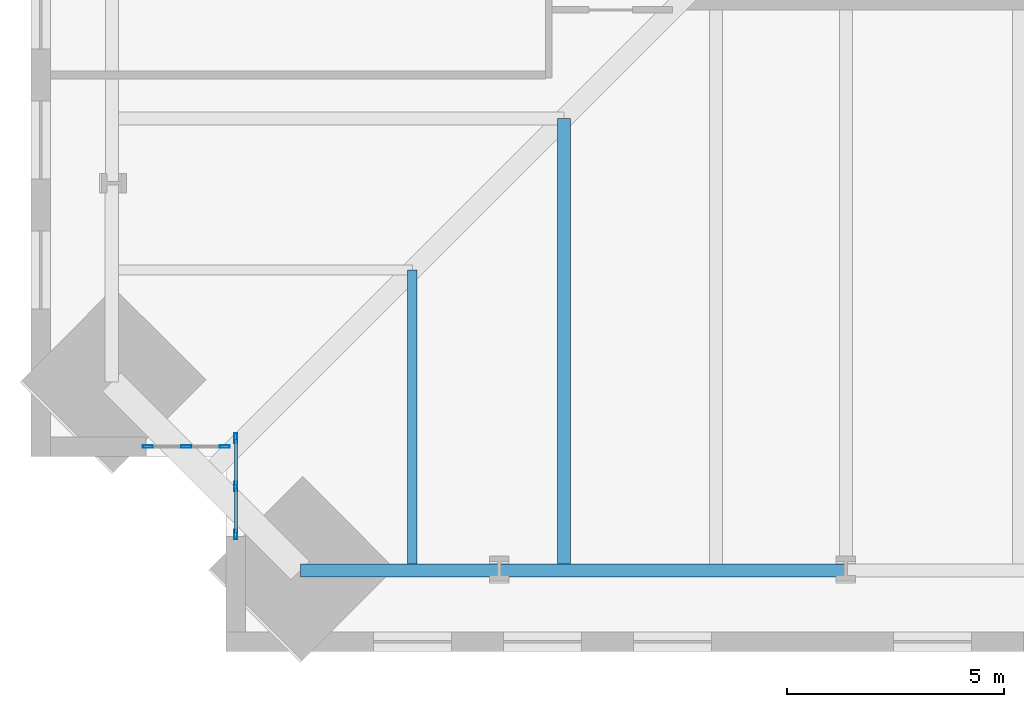
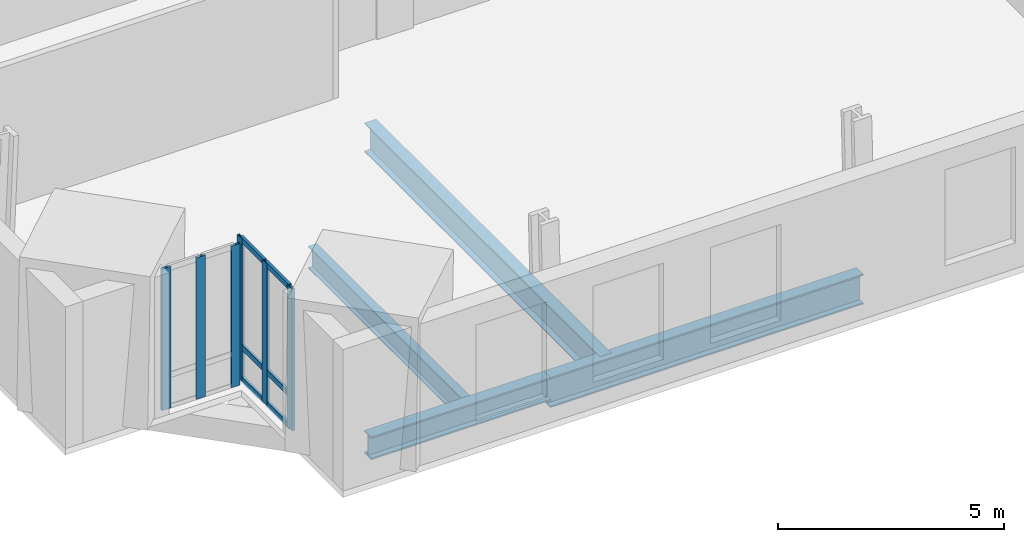
# One storey, part 2 of 17: 12 members, 4 beams, 2 elements without a shape of their own.
"""IFC4 building model written with IfcOpenShell, lengths in metres."""

from ifc_helpers import new_model, si_unit, direction, frame, origin, origin_2d, place, context, subcontext, project, spatial, hollow_rectangle, i_section, extrude, material, material_profile, profile_set, type_object, element, aggregate, save


model = new_model("IFC4")

# Units and contexts
model_context = context("Model", 3, precision=1e-05, world=origin(), true_north=direction((0.0, 1.0)))
body_context = subcontext(model_context, "Body", "Model", "MODEL_VIEW")
ifc_project = project(units=[si_unit("LENGTHUNIT", "METRE"), si_unit("AREAUNIT", "SQUARE_METRE"), si_unit("VOLUMEUNIT", "CUBIC_METRE"), si_unit("PLANEANGLEUNIT", "RADIAN"), si_unit("MASSUNIT", "GRAM", prefix="KILO")], contexts=[model_context])

# Site, building, storey
site_placement = place(None, origin())
site = spatial("IfcSite", under=ifc_project, at=site_placement, CompositionType="ELEMENT")
building_placement = place(site_placement, origin())
building = spatial("IfcBuilding", under=site, at=building_placement, Name="Peilmerk Tower", CompositionType="ELEMENT")
storey_placement = place(building_placement, frame((0.0, 0.0, 147.800048828125)))
storey = spatial("IfcBuildingStorey", under=building, at=storey_placement, Name="L30", CompositionType="ELEMENT", Elevation=147.800048828125)

# Beams
ifc_material_1 = material(Name="Steel S355", Category="steel")
ifc_material_profile_1 = material_profile(ifc_material_1, i_section(OverallWidth=0.219970703125, OverallDepth=0.60009765625, WebThickness=0.011962890625, FlangeThickness=0.01904296875, at=origin_2d()), Name="IPE 600")
ifc_profile_set_1 = profile_set([ifc_material_profile_1], Name="Steel S355")
beam_type_1 = type_object("IfcBeamType", Name="B10 IPE 600 floor beam", PredefinedType="BEAM", material=ifc_profile_set_1)
beam_1_placement = place(storey_placement, frame((-18.0, -18.0, -0.469970703125), z_axis=(0.0, -1.0, 0.0), x_axis=(1.0, 0.0, 0.0)))
element("IfcBeam", 1, at=beam_1_placement, inside=storey, type_object=beam_type_1, Name="Floor beam L30", PredefinedType="BEAM", context=body_context, shape_type="SweptSolid", body=[
    extrude(i_section(OverallWidth=0.219970703125, OverallDepth=0.60009765625, WebThickness=0.011962890625, FlangeThickness=0.01904296875, at=origin_2d()), origin(), (0.0, 0.0, 1.0), 6.93701171875),
])
ifc_material_profile_2 = material_profile(ifc_material_1, i_section(OverallWidth=0.302978515625, OverallDepth=0.81396484375, WebThickness=0.02099609375, FlangeThickness=0.0400390625, at=origin_2d()), Name="HEM 800")
ifc_profile_set_2 = profile_set([ifc_material_profile_2], Name="Steel S355")
beam_type_2 = type_object("IfcBeamType", Name="B15 HEM 800 edge beam", PredefinedType="SPANDREL", material=ifc_profile_set_2)
beam_2_placement = place(storey_placement, frame((-16.0, -24.93701171875, -0.5771484375), z_axis=(1.0, 0.0, 0.0), x_axis=(0.0, 1.0, 0.0)))
element("IfcBeam", 2, at=beam_2_placement, inside=storey, type_object=beam_type_2, Name="Edge beam L30", PredefinedType="SPANDREL", context=body_context, shape_type="SweptSolid", body=[
    extrude(i_section(OverallWidth=0.302978515625, OverallDepth=0.81396484375, WebThickness=0.02099609375, FlangeThickness=0.0400390625, at=origin_2d()), origin(), (0.0, 0.0, 1.0), 8.0),
])
ifc_material_profile_3 = material_profile(ifc_material_1, i_section(OverallWidth=0.300048828125, OverallDepth=0.7900390625, WebThickness=0.014892578125, FlangeThickness=0.028076171875, at=origin_2d()), Name="HEA 800")
ifc_profile_set_3 = profile_set([ifc_material_profile_3], Name="Steel S355")
beam_type_3 = type_object("IfcBeamType", Name="B3 HEA 800 floor beam", PredefinedType="BEAM", material=ifc_profile_set_3)
beam_3_placement = place(storey_placement, frame((-14.5, -14.5, -0.56494140625), z_axis=(0.0, -1.0, 0.0), x_axis=(1.0, 0.0, 0.0)))
element("IfcBeam", 3, at=beam_3_placement, inside=storey, type_object=beam_type_3, Name="Floor beam L30", PredefinedType="BEAM", context=body_context, shape_type="SweptSolid", body=[
    extrude(i_section(OverallWidth=0.300048828125, OverallDepth=0.7900390625, WebThickness=0.014892578125, FlangeThickness=0.028076171875, at=origin_2d()), origin(), (0.0, 0.0, 1.0), 10.43701171875),
])
ifc_material_profile_4 = material_profile(ifc_material_1, i_section(OverallWidth=0.304931640625, OverallDepth=0.6201171875, WebThickness=0.02099609375, FlangeThickness=0.0400390625, at=origin_2d()), Name="HEM 600")
ifc_profile_set_4 = profile_set([ifc_material_profile_4], Name="Steel S355")
beam_type_4 = type_object("IfcBeamType", Name="B31 HEM 600 edge beam", PredefinedType="SPANDREL", material=ifc_profile_set_4)
beam_4_placement = place(storey_placement, frame((-20.587158203125, -24.93701171875, -0.47998046875), z_axis=(1.0, 0.0, 0.0), x_axis=(0.0, 1.0, 0.0)))
element("IfcBeam", 4, at=beam_4_placement, inside=storey, type_object=beam_type_4, Name="Edge beam L30", PredefinedType="SPANDREL", context=body_context, shape_type="SweptSolid", body=[
    extrude(i_section(OverallWidth=0.304931640625, OverallDepth=0.6201171875, WebThickness=0.02099609375, FlangeThickness=0.0400390625, at=origin_2d()), origin(), (0.0, 0.0, 1.0), 4.587158203125),
])

# Curtain wall, members
ifc_material_2 = material(Name="Aluminium stick curtain wall", Category="aluminium")
curtain_wall_type = type_object("IfcCurtainWallType", Name="CW3 stick curtain wall, 2250 module", PredefinedType="NOTDEFINED", material=ifc_material_2)
curtain_wall_1_placement = place(storey_placement, origin())
curtain_wall_1 = element("IfcCurtainWall", 5, at=curtain_wall_1_placement, inside=storey, type_object=curtain_wall_type, Name="Curtain wall CW3 SWA L30", PredefinedType="NOTDEFINED")
ifc_material_3 = material(Name="Aluminium EN AW-6063 T6", Category="aluminium")
ifc_material_profile_5 = material_profile(ifc_material_3, hollow_rectangle(XDim=0.06494140625, YDim=0.22509765625, WallThickness=0.00390625, at=origin_2d()), Name="AL 225x65x4")
ifc_profile_set_5 = profile_set([ifc_material_profile_5], Name="Aluminium EN AW-6063 T6")
member_type_1 = type_object("IfcMemberType", Name="CW3-M AL 225x65x4 mullion", PredefinedType="MULLION", material=ifc_profile_set_5)
member_1_placement = place(storey_placement, frame((-22.074951171875, -21.882568359375, 0.0), z_axis=(0.0, 0.0, 1.0), x_axis=(1.0, 0.0, 0.0)))
member_1 = element("IfcMember", 6, at=member_1_placement, type_object=member_type_1, Name="CW3 mullion 1", PredefinedType="MULLION", context=body_context, shape_type="SweptSolid", body=[
    extrude(hollow_rectangle(XDim=0.06494140625, YDim=0.22509765625, WallThickness=0.00390625, at=origin_2d()), origin(), (0.0, 0.0, 1.0), 3.829833984375),
])
member_2_placement = place(storey_placement, frame((-22.074951171875, -22.994384765625, 0.0), z_axis=(0.0, 0.0, 1.0), x_axis=(1.0, 0.0, 0.0)))
member_2 = element("IfcMember", 7, at=member_2_placement, type_object=member_type_1, Name="CW3 mullion 2", PredefinedType="MULLION", context=body_context, shape_type="SweptSolid", body=[
    extrude(hollow_rectangle(XDim=0.06494140625, YDim=0.22509765625, WallThickness=0.00390625, at=origin_2d()), origin(), (0.0, 0.0, 1.0), 3.829833984375),
])
member_3_placement = place(storey_placement, frame((-22.074951171875, -24.106201171875, 0.0), z_axis=(0.0, 0.0, 1.0), x_axis=(1.0, 0.0, 0.0)))
member_3 = element("IfcMember", 8, at=member_3_placement, type_object=member_type_1, Name="CW3 mullion 3", PredefinedType="MULLION", context=body_context, shape_type="SweptSolid", body=[
    extrude(hollow_rectangle(XDim=0.06494140625, YDim=0.22509765625, WallThickness=0.00390625, at=origin_2d()), origin(), (0.0, 0.0, 1.0), 3.829833984375),
])

curtain_wall_2_placement = place(storey_placement, origin())
curtain_wall_2 = element("IfcCurtainWall", 9, at=curtain_wall_2_placement, inside=storey, type_object=curtain_wall_type, Name="Curtain wall CW3 SWB L30", PredefinedType="NOTDEFINED")
member_4_placement = place(storey_placement, frame((-22.33251953125, -22.074951171875, 0.0), z_axis=(0.0, 0.0, 1.0), x_axis=(0.0, -1.0, 0.0)))
member_4 = element("IfcMember", 10, at=member_4_placement, type_object=member_type_1, Name="CW3 mullion 1", PredefinedType="MULLION", context=body_context, shape_type="SweptSolid", body=[
    extrude(hollow_rectangle(XDim=0.06494140625, YDim=0.22509765625, WallThickness=0.00390625, at=origin_2d()), origin(), (0.0, 0.0, 1.0), 3.829833984375),
])
member_5_placement = place(storey_placement, frame((-23.21923828125, -22.074951171875, 0.0), z_axis=(0.0, 0.0, 1.0), x_axis=(0.0, -1.0, 0.0)))
member_5 = element("IfcMember", 11, at=member_5_placement, type_object=member_type_1, Name="CW3 mullion 2", PredefinedType="MULLION", context=body_context, shape_type="SweptSolid", body=[
    extrude(hollow_rectangle(XDim=0.06494140625, YDim=0.22509765625, WallThickness=0.00390625, at=origin_2d()), origin(), (0.0, 0.0, 1.0), 3.829833984375),
])
member_6_placement = place(storey_placement, frame((-24.106201171875, -22.074951171875, 0.0), z_axis=(0.0, 0.0, 1.0), x_axis=(0.0, -1.0, 0.0)))
member_6 = element("IfcMember", 12, at=member_6_placement, type_object=member_type_1, Name="CW3 mullion 3", PredefinedType="MULLION", context=body_context, shape_type="SweptSolid", body=[
    extrude(hollow_rectangle(XDim=0.06494140625, YDim=0.22509765625, WallThickness=0.00390625, at=origin_2d()), origin(), (0.0, 0.0, 1.0), 3.829833984375),
])
aggregate(curtain_wall_2, [member_4, member_5, member_6])

# Member
ifc_material_profile_6 = material_profile(ifc_material_3, hollow_rectangle(XDim=0.06494140625, YDim=0.14990234375, WallThickness=0.0029296875, at=origin_2d()), Name="AL 150x65x3")
ifc_profile_set_6 = profile_set([ifc_material_profile_6], Name="Aluminium EN AW-6063 T6")
member_type_2 = type_object("IfcMemberType", Name="CW3-T AL 150x65x3 transom", PredefinedType="USERDEFINED", material=ifc_profile_set_6)
member_7_placement = place(storey_placement, frame((-22.074951171875, -21.9150390625, 0.032470703125), z_axis=(0.0, -1.0, 0.0), x_axis=(1.0, 0.0, 0.0)))
member_7 = element("IfcMember", 13, at=member_7_placement, type_object=member_type_2, Name="CW3 transom 1.1", ObjectType="TRANSOM", PredefinedType="USERDEFINED", context=body_context, shape_type="SweptSolid", body=[
    extrude(hollow_rectangle(XDim=0.06494140625, YDim=0.14990234375, WallThickness=0.0029296875, at=origin_2d()), origin(), (0.0, 0.0, 1.0), 1.046875),
])

member_8_placement = place(storey_placement, frame((-22.074951171875, -21.9150390625, 0.89990234375), z_axis=(0.0, -1.0, 0.0), x_axis=(1.0, 0.0, 0.0)))
member_8 = element("IfcMember", 14, at=member_8_placement, type_object=member_type_2, Name="CW3 transom 1.2", ObjectType="TRANSOM", PredefinedType="USERDEFINED", context=body_context, shape_type="SweptSolid", body=[
    extrude(hollow_rectangle(XDim=0.06494140625, YDim=0.14990234375, WallThickness=0.0029296875, at=origin_2d()), origin(), (0.0, 0.0, 1.0), 1.046875),
])

member_9_placement = place(storey_placement, frame((-22.074951171875, -21.9150390625, 3.79736328125), z_axis=(0.0, -1.0, 0.0), x_axis=(1.0, 0.0, 0.0)))
member_9 = element("IfcMember", 15, at=member_9_placement, type_object=member_type_2, Name="CW3 transom 1.3", ObjectType="TRANSOM", PredefinedType="USERDEFINED", context=body_context, shape_type="SweptSolid", body=[
    extrude(hollow_rectangle(XDim=0.06494140625, YDim=0.14990234375, WallThickness=0.0029296875, at=origin_2d()), origin(), (0.0, 0.0, 1.0), 1.046875),
])

member_10_placement = place(storey_placement, frame((-22.074951171875, -23.02685546875, 0.032470703125), z_axis=(0.0, -1.0, 0.0), x_axis=(1.0, 0.0, 0.0)))
member_10 = element("IfcMember", 16, at=member_10_placement, type_object=member_type_2, Name="CW3 transom 2.1", ObjectType="TRANSOM", PredefinedType="USERDEFINED", context=body_context, shape_type="SweptSolid", body=[
    extrude(hollow_rectangle(XDim=0.06494140625, YDim=0.14990234375, WallThickness=0.0029296875, at=origin_2d()), origin(), (0.0, 0.0, 1.0), 1.046875),
])

member_11_placement = place(storey_placement, frame((-22.074951171875, -23.02685546875, 0.89990234375), z_axis=(0.0, -1.0, 0.0), x_axis=(1.0, 0.0, 0.0)))
member_11 = element("IfcMember", 17, at=member_11_placement, type_object=member_type_2, Name="CW3 transom 2.2", ObjectType="TRANSOM", PredefinedType="USERDEFINED", context=body_context, shape_type="SweptSolid", body=[
    extrude(hollow_rectangle(XDim=0.06494140625, YDim=0.14990234375, WallThickness=0.0029296875, at=origin_2d()), origin(), (0.0, 0.0, 1.0), 1.046875),
])

member_12_placement = place(storey_placement, frame((-22.074951171875, -23.02685546875, 3.79736328125), z_axis=(0.0, -1.0, 0.0), x_axis=(1.0, 0.0, 0.0)))
member_12 = element("IfcMember", 18, at=member_12_placement, type_object=member_type_2, Name="CW3 transom 2.3", ObjectType="TRANSOM", PredefinedType="USERDEFINED", context=body_context, shape_type="SweptSolid", body=[
    extrude(hollow_rectangle(XDim=0.06494140625, YDim=0.14990234375, WallThickness=0.0029296875, at=origin_2d()), origin(), (0.0, 0.0, 1.0), 1.046875),
])

aggregate(curtain_wall_1, [member_1, member_2, member_3, member_7, member_8, member_9, member_10, member_11, member_12])

save(model, "model.ifc")
